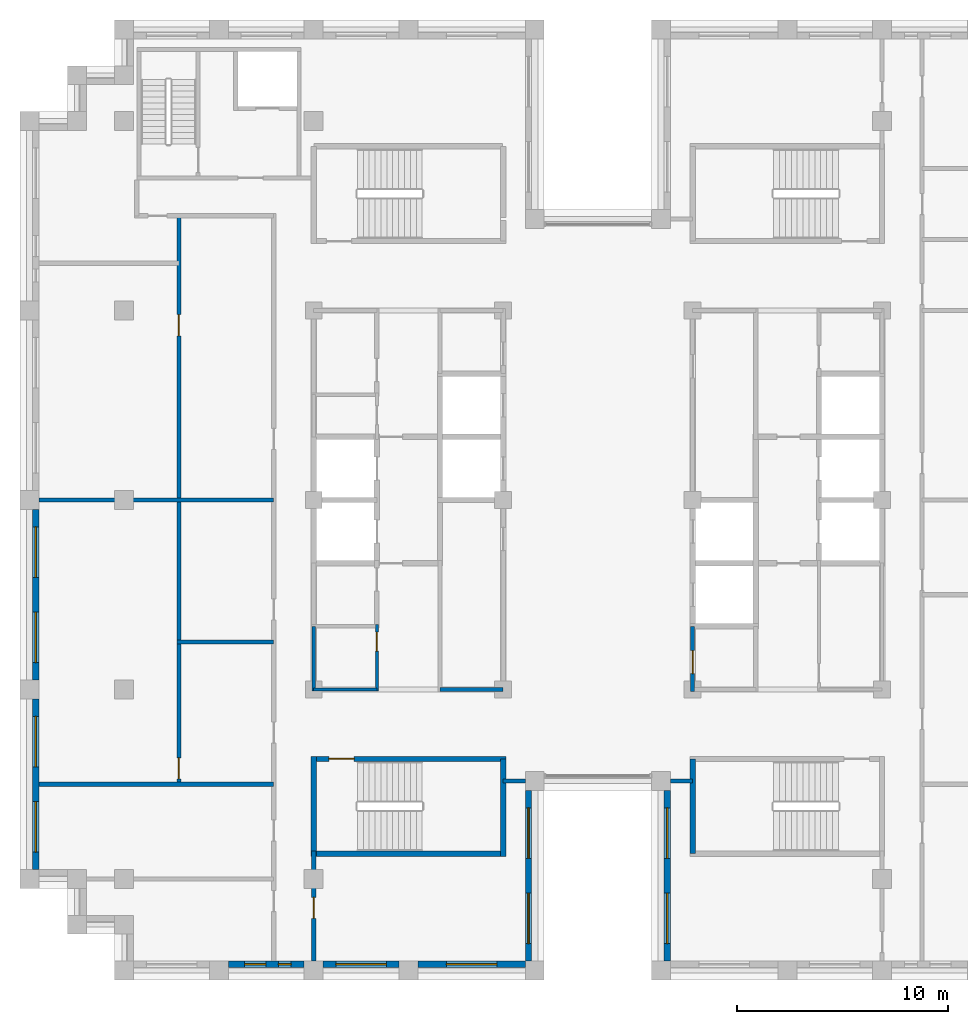
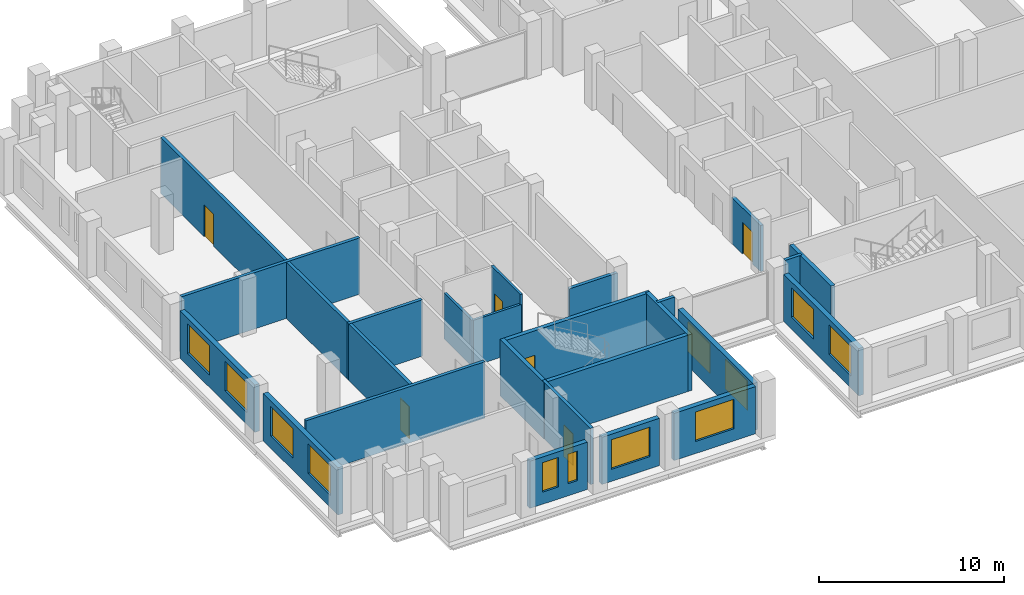
# One storey, part 6 of 13: 24 walls, 12 windows, 6 doors, 18 openings.
"""IFC4 building model written with IfcOpenShell, lengths in metres."""

from ifc_helpers import new_model, si_unit, direction, frame, frame_2d, origin, place, context, subcontext, project, spatial, rectangle, extrude, material, layer, layer_set, type_object, element, fill, save


model = new_model("IFC4")

# Units and contexts
model_context = context("Model", 3, precision=1e-05, world=origin(), true_north=direction((0.0, 1.0)))
body_context = subcontext(model_context, "Body", "Model", "MODEL_VIEW")
ifc_project = project(units=[si_unit("LENGTHUNIT", "METRE"), si_unit("AREAUNIT", "SQUARE_METRE"), si_unit("VOLUMEUNIT", "CUBIC_METRE"), si_unit("PLANEANGLEUNIT", "RADIAN"), si_unit("MASSUNIT", "GRAM", prefix="KILO")], contexts=[model_context])

# Site, building, storey
site_placement = place(None, origin())
site = spatial("IfcSite", under=ifc_project, at=site_placement, CompositionType="ELEMENT")
building_placement = place(site_placement, origin())
building = spatial("IfcBuilding", under=site, at=building_placement, Name="Corbelhall Arena Tower", CompositionType="ELEMENT")
storey_placement = place(building_placement, frame((0.0, 0.0, 258.0)))
storey = spatial("IfcBuildingStorey", under=building, at=storey_placement, Name="L55", CompositionType="ELEMENT", Elevation=258.0)

# Wall, openings, windows
ifc_material_1 = material(Name="Precast concrete C40/50 with granite facing", Category="masonry")
ifc_layer_1 = layer(ifc_material_1, 0.300048828125)
ifc_layer_set_1 = layer_set([ifc_layer_1], Name="EV-IW1 Infill panel 300")
wall_type_1 = type_object("IfcWallType", Name="EV-IW1 Infill panel 300", PredefinedType="SOLIDWALL", material=ifc_layer_set_1)
wall_1_placement = place(storey_placement, frame((-26.699951171875, -0.449951171875, 0.0), z_axis=(0.0, 0.0, 1.0), x_axis=(0.0, -1.0, 0.0)))
wall_1 = element("IfcWall", 1, at=wall_1_placement, inside=storey, type_object=wall_type_1, Name="Infill panel IW1", PredefinedType="SOLIDWALL", context=body_context, shape_type="SweptSolid", body=[
    extrude(rectangle(XDim=8.10009765625, YDim=0.300048828125, at=frame_2d((4.050048828125, 0.0))), origin(), (0.0, 0.0, 1.0), 3.1201171875),
])
opening_1_placement = place(wall_1_placement, frame((0.824951171875, 0.0, 0.800048828125)))
opening_1 = element("IfcOpeningElement", 2, at=opening_1_placement, cuts=wall_1, Name="Opening WN1", PredefinedType="OPENING", context=body_context, shape_type="SweptSolid", body=[
    extrude(rectangle(XDim=2.39990234375, YDim=1.949951171875, at=frame_2d((1.199951171875, 0.97509765625))), frame((0.0, 0.14990234375, 0.0), z_axis=(0.0, -1.0, 0.0), x_axis=(1.0, 0.0, 0.0)), (0.0, 0.0, 1.0), 0.300048828125),
])
opening_2_placement = place(wall_1_placement, frame((4.875, 0.0, 0.800048828125)))
opening_2 = element("IfcOpeningElement", 3, at=opening_2_placement, cuts=wall_1, Name="Opening WN1", PredefinedType="OPENING", context=body_context, shape_type="SweptSolid", body=[
    extrude(rectangle(XDim=2.39990234375, YDim=1.949951171875, at=frame_2d((1.199951171875, 0.97509765625))), frame((0.0, 0.14990234375, 0.0), z_axis=(0.0, -1.0, 0.0), x_axis=(1.0, 0.0, 0.0)), (0.0, 0.0, 1.0), 0.300048828125),
])
ifc_material_2 = material(Name="Aluminium black anodised", Category="aluminium")
window_type_1 = type_object("IfcWindowType", Name="EV-WN1 Office window", PartitioningType="SINGLE_PANEL", PredefinedType="WINDOW", material=ifc_material_2)
window_1_placement = place(opening_1_placement, origin())
window_1 = element("IfcWindow", 4, at=window_1_placement, inside=storey, type_object=window_type_1, Name="Window WN1", OverallHeight=1.949951171875, OverallWidth=2.39990234375, PartitioningType="SINGLE_PANEL", PredefinedType="WINDOW", context=body_context, shape_type="SweptSolid", body=[
    extrude(rectangle(XDim=2.39990234375, YDim=1.949951171875, at=frame_2d((1.199951171875, 0.97509765625))), frame((0.0, 0.030029296875, 0.0), z_axis=(0.0, -1.0, 0.0), x_axis=(1.0, 0.0, 0.0)), (0.0, 0.0, 1.0), 0.06005859375),
])
fill(opening_1, window_1)
window_2_placement = place(opening_2_placement, origin())
window_2 = element("IfcWindow", 5, at=window_2_placement, inside=storey, type_object=window_type_1, Name="Window WN1", OverallHeight=1.949951171875, OverallWidth=2.39990234375, PartitioningType="SINGLE_PANEL", PredefinedType="WINDOW", context=body_context, shape_type="SweptSolid", body=[
    extrude(rectangle(XDim=2.39990234375, YDim=1.949951171875, at=frame_2d((1.199951171875, 0.97509765625))), frame((0.0, 0.030029296875, 0.0), z_axis=(0.0, -1.0, 0.0), x_axis=(1.0, 0.0, 0.0)), (0.0, 0.0, 1.0), 0.06005859375),
])
fill(opening_2, window_2)

wall_2_placement = place(storey_placement, frame((-26.699951171875, -9.449951171875, 0.0), z_axis=(0.0, 0.0, 1.0), x_axis=(0.0, -1.0, 0.0)))
wall_2 = element("IfcWall", 6, at=wall_2_placement, inside=storey, type_object=wall_type_1, Name="Infill panel IW1", PredefinedType="SOLIDWALL", context=body_context, shape_type="SweptSolid", body=[
    extrude(rectangle(XDim=8.10009765625, YDim=0.300048828125, at=frame_2d((4.050048828125, 0.0))), origin(), (0.0, 0.0, 1.0), 3.1201171875),
])
opening_3_placement = place(wall_2_placement, frame((0.824951171875, 0.0, 0.800048828125)))
opening_3 = element("IfcOpeningElement", 7, at=opening_3_placement, cuts=wall_2, Name="Opening WN1", PredefinedType="OPENING", context=body_context, shape_type="SweptSolid", body=[
    extrude(rectangle(XDim=2.39990234375, YDim=1.949951171875, at=frame_2d((1.199951171875, 0.97509765625))), frame((0.0, 0.14990234375, 0.0), z_axis=(0.0, -1.0, 0.0), x_axis=(1.0, 0.0, 0.0)), (0.0, 0.0, 1.0), 0.300048828125),
])
opening_4_placement = place(wall_2_placement, frame((4.875, 0.0, 0.800048828125)))
opening_4 = element("IfcOpeningElement", 8, at=opening_4_placement, cuts=wall_2, Name="Opening WN1", PredefinedType="OPENING", context=body_context, shape_type="SweptSolid", body=[
    extrude(rectangle(XDim=2.39990234375, YDim=1.949951171875, at=frame_2d((1.199951171875, 0.97509765625))), frame((0.0, 0.14990234375, 0.0), z_axis=(0.0, -1.0, 0.0), x_axis=(1.0, 0.0, 0.0)), (0.0, 0.0, 1.0), 0.300048828125),
])
window_3_placement = place(opening_3_placement, origin())
window_3 = element("IfcWindow", 9, at=window_3_placement, inside=storey, type_object=window_type_1, Name="Window WN1", OverallHeight=1.949951171875, OverallWidth=2.39990234375, PartitioningType="SINGLE_PANEL", PredefinedType="WINDOW", context=body_context, shape_type="SweptSolid", body=[
    extrude(rectangle(XDim=2.39990234375, YDim=1.949951171875, at=frame_2d((1.199951171875, 0.97509765625))), frame((0.0, 0.030029296875, 0.0), z_axis=(0.0, -1.0, 0.0), x_axis=(1.0, 0.0, 0.0)), (0.0, 0.0, 1.0), 0.06005859375),
])
fill(opening_3, window_3)
window_4_placement = place(opening_4_placement, origin())
window_4 = element("IfcWindow", 10, at=window_4_placement, inside=storey, type_object=window_type_1, Name="Window WN1", OverallHeight=1.949951171875, OverallWidth=2.39990234375, PartitioningType="SINGLE_PANEL", PredefinedType="WINDOW", context=body_context, shape_type="SweptSolid", body=[
    extrude(rectangle(XDim=2.39990234375, YDim=1.949951171875, at=frame_2d((1.199951171875, 0.97509765625))), frame((0.0, 0.030029296875, 0.0), z_axis=(0.0, -1.0, 0.0), x_axis=(1.0, 0.0, 0.0)), (0.0, 0.0, 1.0), 0.06005859375),
])
fill(opening_4, window_4)

wall_3_placement = place(storey_placement, frame((-17.550048828125, -22.050048828125, 0.0), z_axis=(0.0, 0.0, 1.0), x_axis=(1.0, 0.0, 0.0)))
wall_3 = element("IfcWall", 11, at=wall_3_placement, inside=storey, type_object=wall_type_1, Name="Infill panel IW1", PredefinedType="SOLIDWALL", context=body_context, shape_type="SweptSolid", body=[
    extrude(rectangle(XDim=3.60009765625, YDim=0.300048828125, at=frame_2d((1.800048828125, 0.0))), origin(), (0.0, 0.0, 1.0), 3.1201171875),
])
opening_5_placement = place(wall_3_placement, frame((0.77490234375, 0.0, 0.800048828125)))
opening_5 = element("IfcOpeningElement", 12, at=opening_5_placement, cuts=wall_3, Name="Opening WN6", PredefinedType="OPENING", context=body_context, shape_type="SweptSolid", body=[
    extrude(rectangle(XDim=1.0, YDim=1.949951171875, at=frame_2d((0.5, 0.97509765625))), frame((0.0, 0.14990234375, 0.0), z_axis=(0.0, -1.0, 0.0), x_axis=(1.0, 0.0, 0.0)), (0.0, 0.0, 1.0), 0.300048828125),
])
opening_6_placement = place(wall_3_placement, frame((2.375, 0.0, 0.800048828125)))
opening_6 = element("IfcOpeningElement", 13, at=opening_6_placement, cuts=wall_3, Name="Opening WN5", PredefinedType="OPENING", context=body_context, shape_type="SweptSolid", body=[
    extrude(rectangle(XDim=0.60009765625, YDim=1.949951171875, at=frame_2d((0.300048828125, 0.97509765625))), frame((0.0, 0.14990234375, 0.0), z_axis=(0.0, -1.0, 0.0), x_axis=(1.0, 0.0, 0.0)), (0.0, 0.0, 1.0), 0.300048828125),
])
window_type_2 = type_object("IfcWindowType", Name="EV-WN5 Office window 600", PartitioningType="SINGLE_PANEL", PredefinedType="WINDOW", material=ifc_material_2)
window_5_placement = place(opening_6_placement, origin())
window_5 = element("IfcWindow", 14, at=window_5_placement, inside=storey, type_object=window_type_2, Name="Window WN5", OverallHeight=1.949951171875, OverallWidth=0.60009765625, PartitioningType="SINGLE_PANEL", PredefinedType="WINDOW", context=body_context, shape_type="SweptSolid", body=[
    extrude(rectangle(XDim=0.60009765625, YDim=1.949951171875, at=frame_2d((0.300048828125, 0.97509765625))), frame((0.0, 0.030029296875, 0.0), z_axis=(0.0, -1.0, 0.0), x_axis=(1.0, 0.0, 0.0)), (0.0, 0.0, 1.0), 0.06005859375),
])
fill(opening_6, window_5)
window_type_3 = type_object("IfcWindowType", Name="EV-WN6 Office window 1000", PartitioningType="SINGLE_PANEL", PredefinedType="WINDOW", material=ifc_material_2)
window_6_placement = place(opening_5_placement, origin())
window_6 = element("IfcWindow", 15, at=window_6_placement, inside=storey, type_object=window_type_3, Name="Window WN6", OverallHeight=1.949951171875, OverallWidth=1.0, PartitioningType="SINGLE_PANEL", PredefinedType="WINDOW", context=body_context, shape_type="SweptSolid", body=[
    extrude(rectangle(XDim=1.0, YDim=1.949951171875, at=frame_2d((0.5, 0.97509765625))), frame((0.0, 0.030029296875, 0.0), z_axis=(0.0, -1.0, 0.0), x_axis=(1.0, 0.0, 0.0)), (0.0, 0.0, 1.0), 0.06005859375),
])
fill(opening_5, window_6)

# Wall, opening, window
wall_4_placement = place(storey_placement, frame((-13.050048828125, -22.050048828125, 0.0), z_axis=(0.0, 0.0, 1.0), x_axis=(1.0, 0.0, 0.0)))
wall_4 = element("IfcWall", 16, at=wall_4_placement, inside=storey, type_object=wall_type_1, Name="Infill panel IW1", PredefinedType="SOLIDWALL", context=body_context, shape_type="SweptSolid", body=[
    extrude(rectangle(XDim=3.60009765625, YDim=0.300048828125, at=frame_2d((1.800048828125, 0.0))), origin(), (0.0, 0.0, 1.0), 3.1201171875),
])
opening_7_placement = place(wall_4_placement, frame((0.60009765625, 0.0, 0.800048828125)))
opening_7 = element("IfcOpeningElement", 17, at=opening_7_placement, cuts=wall_4, Name="Opening WN1", PredefinedType="OPENING", context=body_context, shape_type="SweptSolid", body=[
    extrude(rectangle(XDim=2.39990234375, YDim=1.949951171875, at=frame_2d((1.199951171875, 0.97509765625))), frame((0.0, 0.14990234375, 0.0), z_axis=(0.0, -1.0, 0.0), x_axis=(1.0, 0.0, 0.0)), (0.0, 0.0, 1.0), 0.300048828125),
])
window_7_placement = place(opening_7_placement, origin())
window_7 = element("IfcWindow", 18, at=window_7_placement, inside=storey, type_object=window_type_1, Name="Window WN1", OverallHeight=1.949951171875, OverallWidth=2.39990234375, PartitioningType="SINGLE_PANEL", PredefinedType="WINDOW", context=body_context, shape_type="SweptSolid", body=[
    extrude(rectangle(XDim=2.39990234375, YDim=1.949951171875, at=frame_2d((1.199951171875, 0.97509765625))), frame((0.0, 0.030029296875, 0.0), z_axis=(0.0, -1.0, 0.0), x_axis=(1.0, 0.0, 0.0)), (0.0, 0.0, 1.0), 0.06005859375),
])
fill(opening_7, window_7)

wall_5_placement = place(storey_placement, frame((-8.550048828125, -22.050048828125, 0.0), z_axis=(0.0, 0.0, 1.0), x_axis=(1.0, 0.0, 0.0)))
wall_5 = element("IfcWall", 19, at=wall_5_placement, inside=storey, type_object=wall_type_1, Name="Infill panel IW1", PredefinedType="SOLIDWALL", context=body_context, shape_type="SweptSolid", body=[
    extrude(rectangle(XDim=5.10009765625, YDim=0.300048828125, at=frame_2d((2.550048828125, 0.0))), origin(), (0.0, 0.0, 1.0), 3.1201171875),
])
opening_8_placement = place(wall_5_placement, frame((1.35009765625, 0.0, 0.800048828125)))
opening_8 = element("IfcOpeningElement", 20, at=opening_8_placement, cuts=wall_5, Name="Opening WN1", PredefinedType="OPENING", context=body_context, shape_type="SweptSolid", body=[
    extrude(rectangle(XDim=2.39990234375, YDim=1.949951171875, at=frame_2d((1.199951171875, 0.97509765625))), frame((0.0, 0.14990234375, 0.0), z_axis=(0.0, -1.0, 0.0), x_axis=(1.0, 0.0, 0.0)), (0.0, 0.0, 1.0), 0.300048828125),
])
window_8_placement = place(opening_8_placement, origin())
window_8 = element("IfcWindow", 21, at=window_8_placement, inside=storey, type_object=window_type_1, Name="Window WN1", OverallHeight=1.949951171875, OverallWidth=2.39990234375, PartitioningType="SINGLE_PANEL", PredefinedType="WINDOW", context=body_context, shape_type="SweptSolid", body=[
    extrude(rectangle(XDim=2.39990234375, YDim=1.949951171875, at=frame_2d((1.199951171875, 0.97509765625))), frame((0.0, 0.030029296875, 0.0), z_axis=(0.0, -1.0, 0.0), x_axis=(1.0, 0.0, 0.0)), (0.0, 0.0, 1.0), 0.06005859375),
])
fill(opening_8, window_8)

# Wall, openings, windows
wall_6_placement = place(storey_placement, frame((-3.300048828125, -21.89990234375, 0.0), z_axis=(0.0, 0.0, 1.0), x_axis=(0.0, 1.0, 0.0)))
wall_6 = element("IfcWall", 22, at=wall_6_placement, inside=storey, type_object=wall_type_1, Name="Infill panel IW1", PredefinedType="SOLIDWALL", context=body_context, shape_type="SweptSolid", body=[
    extrude(rectangle(XDim=8.099853515625, YDim=0.300048828125, at=frame_2d((4.0498046875, 0.0))), origin(), (0.0, 0.0, 1.0), 3.1201171875),
])
opening_9_placement = place(wall_6_placement, frame((0.824951171875, 0.0, 0.800048828125)))
opening_9 = element("IfcOpeningElement", 23, at=opening_9_placement, cuts=wall_6, Name="Opening WN1", PredefinedType="OPENING", context=body_context, shape_type="SweptSolid", body=[
    extrude(rectangle(XDim=2.39990234375, YDim=1.949951171875, at=frame_2d((1.199951171875, 0.97509765625))), frame((0.0, 0.14990234375, 0.0), z_axis=(0.0, -1.0, 0.0), x_axis=(1.0, 0.0, 0.0)), (0.0, 0.0, 1.0), 0.300048828125),
])
opening_10_placement = place(wall_6_placement, frame((4.875, 0.0, 0.800048828125)))
opening_10 = element("IfcOpeningElement", 24, at=opening_10_placement, cuts=wall_6, Name="Opening WN1", PredefinedType="OPENING", context=body_context, shape_type="SweptSolid", body=[
    extrude(rectangle(XDim=2.39990234375, YDim=1.949951171875, at=frame_2d((1.199951171875, 0.97509765625))), frame((0.0, 0.14990234375, 0.0), z_axis=(0.0, -1.0, 0.0), x_axis=(1.0, 0.0, 0.0)), (0.0, 0.0, 1.0), 0.300048828125),
])
window_9_placement = place(opening_9_placement, origin())
window_9 = element("IfcWindow", 25, at=window_9_placement, inside=storey, type_object=window_type_1, Name="Window WN1", OverallHeight=1.949951171875, OverallWidth=2.39990234375, PartitioningType="SINGLE_PANEL", PredefinedType="WINDOW", context=body_context, shape_type="SweptSolid", body=[
    extrude(rectangle(XDim=2.39990234375, YDim=1.949951171875, at=frame_2d((1.199951171875, 0.97509765625))), frame((0.0, 0.030029296875, 0.0), z_axis=(0.0, -1.0, 0.0), x_axis=(1.0, 0.0, 0.0)), (0.0, 0.0, 1.0), 0.06005859375),
])
fill(opening_9, window_9)
window_10_placement = place(opening_10_placement, origin())
window_10 = element("IfcWindow", 26, at=window_10_placement, inside=storey, type_object=window_type_1, Name="Window WN1", OverallHeight=1.949951171875, OverallWidth=2.39990234375, PartitioningType="SINGLE_PANEL", PredefinedType="WINDOW", context=body_context, shape_type="SweptSolid", body=[
    extrude(rectangle(XDim=2.39990234375, YDim=1.949951171875, at=frame_2d((1.199951171875, 0.97509765625))), frame((0.0, 0.030029296875, 0.0), z_axis=(0.0, -1.0, 0.0), x_axis=(1.0, 0.0, 0.0)), (0.0, 0.0, 1.0), 0.06005859375),
])
fill(opening_10, window_10)

wall_7_placement = place(storey_placement, frame((3.300048828125, -13.800048828125, 0.0), z_axis=(0.0, 0.0, 1.0), x_axis=(0.0, -1.0, 0.0)))
wall_7 = element("IfcWall", 27, at=wall_7_placement, inside=storey, type_object=wall_type_1, Name="Infill panel IW1", PredefinedType="SOLIDWALL", context=body_context, shape_type="SweptSolid", body=[
    extrude(rectangle(XDim=8.099853515625, YDim=0.300048828125, at=frame_2d((4.0498046875, 0.0))), origin(), (0.0, 0.0, 1.0), 3.1201171875),
])
opening_11_placement = place(wall_7_placement, frame((0.824951171875, 0.0, 0.800048828125)))
opening_11 = element("IfcOpeningElement", 28, at=opening_11_placement, cuts=wall_7, Name="Opening WN1", PredefinedType="OPENING", context=body_context, shape_type="SweptSolid", body=[
    extrude(rectangle(XDim=2.39990234375, YDim=1.949951171875, at=frame_2d((1.199951171875, 0.97509765625))), frame((0.0, 0.14990234375, 0.0), z_axis=(0.0, -1.0, 0.0), x_axis=(1.0, 0.0, 0.0)), (0.0, 0.0, 1.0), 0.300048828125),
])
opening_12_placement = place(wall_7_placement, frame((4.875, 0.0, 0.800048828125)))
opening_12 = element("IfcOpeningElement", 29, at=opening_12_placement, cuts=wall_7, Name="Opening WN1", PredefinedType="OPENING", context=body_context, shape_type="SweptSolid", body=[
    extrude(rectangle(XDim=2.39990234375, YDim=1.949951171875, at=frame_2d((1.199951171875, 0.97509765625))), frame((0.0, 0.14990234375, 0.0), z_axis=(0.0, -1.0, 0.0), x_axis=(1.0, 0.0, 0.0)), (0.0, 0.0, 1.0), 0.300048828125),
])
window_11_placement = place(opening_11_placement, origin())
window_11 = element("IfcWindow", 30, at=window_11_placement, inside=storey, type_object=window_type_1, Name="Window WN1", OverallHeight=1.949951171875, OverallWidth=2.39990234375, PartitioningType="SINGLE_PANEL", PredefinedType="WINDOW", context=body_context, shape_type="SweptSolid", body=[
    extrude(rectangle(XDim=2.39990234375, YDim=1.949951171875, at=frame_2d((1.199951171875, 0.97509765625))), frame((0.0, 0.030029296875, 0.0), z_axis=(0.0, -1.0, 0.0), x_axis=(1.0, 0.0, 0.0)), (0.0, 0.0, 1.0), 0.06005859375),
])
fill(opening_11, window_11)
window_12_placement = place(opening_12_placement, origin())
window_12 = element("IfcWindow", 31, at=window_12_placement, inside=storey, type_object=window_type_1, Name="Window WN1", OverallHeight=1.949951171875, OverallWidth=2.39990234375, PartitioningType="SINGLE_PANEL", PredefinedType="WINDOW", context=body_context, shape_type="SweptSolid", body=[
    extrude(rectangle(XDim=2.39990234375, YDim=1.949951171875, at=frame_2d((1.199951171875, 0.97509765625))), frame((0.0, 0.030029296875, 0.0), z_axis=(0.0, -1.0, 0.0), x_axis=(1.0, 0.0, 0.0)), (0.0, 0.0, 1.0), 0.06005859375),
])
fill(opening_12, window_12)

# Walls
ifc_material_3 = material(Name="Gypsum board on steel stud, acoustic", Category="steel")
ifc_layer_2 = layer(ifc_material_3, 0.199951171875)
ifc_layer_set_2 = layer_set([ifc_layer_2], Name="IN-W-DM200")
wall_type_2 = type_object("IfcWallType", Name="IN-W-DM200", PredefinedType="PARTITIONING", material=ifc_layer_set_2)
wall_8_placement = place(storey_placement, frame((-26.550048828125, -13.5, 0.0), z_axis=(0.0, 0.0, 1.0), x_axis=(1.0, 0.0, 0.0)))
element("IfcWall", 32, at=wall_8_placement, inside=storey, type_object=wall_type_2, Name="Partition 001", PredefinedType="PARTITIONING", context=body_context, shape_type="SweptSolid", body=[
    extrude(rectangle(XDim=11.150146484375, YDim=0.199951171875, at=frame_2d((5.5751953125, 0.0))), origin(), (0.0, 0.0, 1.0), 3.719970703125),
])
wall_9_placement = place(storey_placement, frame((-20.0, -6.75, 0.0), z_axis=(0.0, 0.0, 1.0), x_axis=(1.0, 0.0, 0.0)))
element("IfcWall", 33, at=wall_9_placement, inside=storey, type_object=wall_type_2, Name="Partition 005", PredefinedType="PARTITIONING", context=body_context, shape_type="SweptSolid", body=[
    extrude(rectangle(XDim=4.60009765625, YDim=0.199951171875, at=frame_2d((2.300048828125, 0.0))), origin(), (0.0, 0.0, 1.0), 3.719970703125),
])

# Wall, openings, doors
wall_10_placement = place(storey_placement, frame((-19.89990234375, -13.5, 0.0), z_axis=(0.0, 0.0, 1.0), x_axis=(0.0, 1.0, 0.0)))
wall_10 = element("IfcWall", 34, at=wall_10_placement, inside=storey, type_object=wall_type_2, Name="Partition 006", PredefinedType="PARTITIONING", context=body_context, shape_type="SweptSolid", body=[
    extrude(rectangle(XDim=27.0, YDim=0.199951171875, at=frame_2d((13.5, 0.0))), origin(), (0.0, 0.0, 1.0), 3.719970703125),
])
opening_13_placement = place(wall_10_placement, frame((21.300048828125, 0.0, 0.0)))
opening_13 = element("IfcOpeningElement", 35, at=opening_13_placement, cuts=wall_10, Name="Opening 17023", PredefinedType="OPENING", context=body_context, shape_type="SweptSolid", body=[
    extrude(rectangle(XDim=1.0, YDim=2.10009765625, at=frame_2d((0.5, 1.050048828125))), frame((0.0, 0.10009765625, 0.0), z_axis=(0.0, -1.0, 0.0), x_axis=(1.0, 0.0, 0.0)), (0.0, 0.0, 1.0), 0.199951171875),
])
opening_14_placement = place(wall_10_placement, frame((0.25, 0.0, 0.0)))
opening_14 = element("IfcOpeningElement", 36, at=opening_14_placement, cuts=wall_10, Name="Opening 17028", PredefinedType="OPENING", context=body_context, shape_type="SweptSolid", body=[
    extrude(rectangle(XDim=1.0, YDim=2.10009765625, at=frame_2d((0.5, 1.050048828125))), frame((0.0, 0.10009765625, 0.0), z_axis=(0.0, -1.0, 0.0), x_axis=(1.0, 0.0, 0.0)), (0.0, 0.0, 1.0), 0.199951171875),
])
ifc_material_4 = material(Name="Steel door set", Category="steel")
door_type_1 = type_object("IfcDoorType", Name="IN-D-SW100", OperationType="NOTDEFINED", PredefinedType="DOOR", material=ifc_material_4)
door_1_placement = place(opening_13_placement, origin())
door_1 = element("IfcDoor", 37, at=door_1_placement, inside=storey, type_object=door_type_1, Name="Door 023", OperationType="SINGLE_SWING_RIGHT", OverallHeight=2.10009765625, OverallWidth=1.0, PredefinedType="DOOR", context=body_context, shape_type="SweptSolid", body=[
    extrude(rectangle(XDim=1.0, YDim=2.10009765625, at=frame_2d((0.5, 1.050048828125))), frame((0.0, 0.02490234375, 0.0), z_axis=(0.0, -1.0, 0.0), x_axis=(1.0, 0.0, 0.0)), (0.0, 0.0, 1.0), 0.050048828125),
])
fill(opening_13, door_1)
door_2_placement = place(opening_14_placement, origin())
door_2 = element("IfcDoor", 38, at=door_2_placement, inside=storey, type_object=door_type_1, Name="Door 028", OperationType="SINGLE_SWING_LEFT", OverallHeight=2.10009765625, OverallWidth=1.0, PredefinedType="DOOR", context=body_context, shape_type="SweptSolid", body=[
    extrude(rectangle(XDim=1.0, YDim=2.10009765625, at=frame_2d((0.5, 1.050048828125))), frame((0.0, 0.02490234375, 0.0), z_axis=(0.0, -1.0, 0.0), x_axis=(1.0, 0.0, 0.0)), (0.0, 0.0, 1.0), 0.050048828125),
])
fill(opening_14, door_2)

# Wall
wall_11_placement = place(storey_placement, frame((-15.39990234375, 0.0, 0.0), z_axis=(0.0, 0.0, 1.0), x_axis=(-1.0, 0.0, 0.0)))
element("IfcWall", 39, at=wall_11_placement, inside=storey, type_object=wall_type_2, Name="Partition 007", PredefinedType="PARTITIONING", context=body_context, shape_type="SweptSolid", body=[
    extrude(rectangle(XDim=11.150146484375, YDim=0.199951171875, at=frame_2d((5.5751953125, 0.0))), origin(), (0.0, 0.0, 1.0), 3.719970703125),
])

# Wall, opening, door
wall_12_placement = place(storey_placement, frame((-13.5, -16.675048828125, 0.0), z_axis=(0.0, 0.0, 1.0), x_axis=(0.0, -1.0, 0.0)))
wall_12 = element("IfcWall", 40, at=wall_12_placement, inside=storey, type_object=wall_type_2, Name="Partition 010", PredefinedType="PARTITIONING", context=body_context, shape_type="SweptSolid", body=[
    extrude(rectangle(XDim=5.224853515625, YDim=0.199951171875, at=frame_2d((2.6123046875, 0.0))), origin(), (0.0, 0.0, 1.0), 3.719970703125),
])
opening_15_placement = place(wall_12_placement, frame((2.199951171875, 0.0, 0.0)))
opening_15 = element("IfcOpeningElement", 41, at=opening_15_placement, cuts=wall_12, Name="Opening 17020", PredefinedType="OPENING", context=body_context, shape_type="SweptSolid", body=[
    extrude(rectangle(XDim=1.0, YDim=2.10009765625, at=frame_2d((0.5, 1.050048828125))), frame((0.0, 0.10009765625, 0.0), z_axis=(0.0, -1.0, 0.0), x_axis=(1.0, 0.0, 0.0)), (0.0, 0.0, 1.0), 0.199951171875),
])
door_3_placement = place(opening_15_placement, origin())
door_3 = element("IfcDoor", 42, at=door_3_placement, inside=storey, type_object=door_type_1, Name="Door 020", OperationType="SINGLE_SWING_LEFT", OverallHeight=2.10009765625, OverallWidth=1.0, PredefinedType="DOOR", context=body_context, shape_type="SweptSolid", body=[
    extrude(rectangle(XDim=1.0, YDim=2.10009765625, at=frame_2d((0.5, 1.050048828125))), frame((0.0, 0.02490234375, 0.0), z_axis=(0.0, -1.0, 0.0), x_axis=(1.0, 0.0, 0.0)), (0.0, 0.0, 1.0), 0.050048828125),
])
fill(opening_15, door_3)

# Walls
for number, where, z_axis, x_axis, name in (
    (43, (-3.449951171875, -13.35009765625, 0.0), (0.0, 0.0, 1.0), (-1.0, 0.0, 0.0), "Partition 011"),
    (44, (4.5, -13.35009765625, 0.0), (0.0, 0.0, 1.0), (-1.0, 0.0, 0.0), "Partition 013"),
):
    element("IfcWall", number, at=place(storey_placement, frame(where, z_axis=z_axis, x_axis=x_axis)), inside=storey, type_object=wall_type_2, Name=name, PredefinedType="PARTITIONING", context=body_context, shape_type="SweptSolid", body=[
        extrude(rectangle(XDim=1.050048828125, YDim=0.199951171875, at=frame_2d((0.52490234375, 0.0))), origin(), (0.0, 0.0, 1.0), 3.719970703125),
    ])
ifc_material_5 = material(Name="Concrete block wall", Category="concrete")
ifc_layer_3 = layer(ifc_material_5, 0.199951171875)
ifc_layer_set_3 = layer_set([ifc_layer_3], Name="IN-W-RS200 under beam 678 mm")
wall_type_3 = type_object("IfcWallType", Name="IN-W-RS200 under beam 678 mm", PredefinedType="SOLIDWALL", material=ifc_layer_set_3)
wall_13_placement = place(storey_placement, frame((-4.5, -9.0, 0.0), z_axis=(0.0, 0.0, 1.0), x_axis=(-1.0, 0.0, 0.0)))
element("IfcWall", 45, at=wall_13_placement, inside=storey, type_object=wall_type_3, Name="Partition 033", PredefinedType="SOLIDWALL", context=body_context, shape_type="SweptSolid", body=[
    extrude(rectangle(XDim=3.0, YDim=0.199951171875, at=frame_2d((1.5, 0.0))), origin(), (0.0, 0.0, 1.0), 3.041748046875),
])

# Wall, opening, door
wall_14_placement = place(storey_placement, frame((4.5, -9.10009765625, 0.0), z_axis=(0.0, 0.0, 1.0), x_axis=(0.0, 1.0, 0.0)))
wall_14 = element("IfcWall", 46, at=wall_14_placement, inside=storey, type_object=wall_type_3, Name="Partition 036", PredefinedType="SOLIDWALL", context=body_context, shape_type="SweptSolid", body=[
    extrude(rectangle(XDim=3.10009765625, YDim=0.199951171875, at=frame_2d((1.550048828125, 0.0))), origin(), (0.0, 0.0, 1.0), 3.041748046875),
])
opening_16_placement = place(wall_14_placement, frame((0.85009765625, 0.0, 0.0)))
opening_16 = element("IfcOpeningElement", 47, at=opening_16_placement, cuts=wall_14, Name="Opening 17009", PredefinedType="OPENING", context=body_context, shape_type="SweptSolid", body=[
    extrude(rectangle(XDim=1.10009765625, YDim=2.10009765625, at=frame_2d((0.550048828125, 1.050048828125))), frame((0.0, 0.10009765625, 0.0), z_axis=(0.0, -1.0, 0.0), x_axis=(1.0, 0.0, 0.0)), (0.0, 0.0, 1.0), 0.199951171875),
])
door_type_2 = type_object("IfcDoorType", Name="IN-D-FD110", OperationType="NOTDEFINED", PredefinedType="DOOR", material=ifc_material_4)
door_4_placement = place(opening_16_placement, origin())
door_4 = element("IfcDoor", 48, at=door_4_placement, inside=storey, type_object=door_type_2, Name="Door 009", OperationType="SINGLE_SWING_RIGHT", OverallHeight=2.10009765625, OverallWidth=1.10009765625, PredefinedType="DOOR", context=body_context, shape_type="SweptSolid", body=[
    extrude(rectangle(XDim=1.10009765625, YDim=2.10009765625, at=frame_2d((0.550048828125, 1.050048828125))), frame((0.0, 0.02490234375, 0.0), z_axis=(0.0, -1.0, 0.0), x_axis=(1.0, 0.0, 0.0)), (0.0, 0.0, 1.0), 0.050048828125),
])
fill(opening_16, door_4)

# Walls
ifc_material_6 = material(Name="Concrete C40/50", Category="concrete")
ifc_layer_4 = layer(ifc_material_6, 0.25)
ifc_layer_set_4 = layer_set([ifc_layer_4], Name="IN-W-ST250")
wall_type_4 = type_object("IfcWallType", Name="IN-W-ST250", PredefinedType="SOLIDWALL", material=ifc_layer_set_4)
wall_15_placement = place(storey_placement, frame((-13.5, -12.175048828125, 0.0), z_axis=(0.0, 0.0, 1.0), x_axis=(0.0, -1.0, 0.0)))
element("IfcWall", 49, at=wall_15_placement, inside=storey, type_object=wall_type_4, Name="Shaft wall 064", PredefinedType="SOLIDWALL", context=body_context, shape_type="SweptSolid", body=[
    extrude(rectangle(XDim=4.75, YDim=0.25, at=frame_2d((2.375, 0.0))), origin(), (0.0, 0.0, 1.0), 3.719970703125),
])
wall_16_placement = place(storey_placement, frame((-4.5, -16.800048828125, 0.0), z_axis=(0.0, 0.0, 1.0), x_axis=(-1.0, 0.0, 0.0)))
element("IfcWall", 50, at=wall_16_placement, inside=storey, type_object=wall_type_4, Name="Shaft wall 068", PredefinedType="SOLIDWALL", context=body_context, shape_type="SweptSolid", body=[
    extrude(rectangle(XDim=9.0, YDim=0.25, at=frame_2d((4.5, 0.0))), origin(), (0.0, 0.0, 1.0), 3.719970703125),
])
wall_17_placement = place(storey_placement, frame((-4.5, -12.300048828125, 0.0), z_axis=(0.0, 0.0, 1.0), x_axis=(0.0, -1.0, 0.0)))
element("IfcWall", 51, at=wall_17_placement, inside=storey, type_object=wall_type_4, Name="Shaft wall 069", PredefinedType="SOLIDWALL", context=body_context, shape_type="SweptSolid", body=[
    extrude(rectangle(XDim=4.625, YDim=0.25, at=frame_2d((2.3125, 0.0))), origin(), (0.0, 0.0, 1.0), 3.719970703125),
])

# Wall, opening, door
wall_18_placement = place(storey_placement, frame((-4.375, -12.300048828125, 0.0), z_axis=(0.0, 0.0, 1.0), x_axis=(-1.0, 0.0, 0.0)))
wall_18 = element("IfcWall", 52, at=wall_18_placement, inside=storey, type_object=wall_type_4, Name="Shaft wall 072", PredefinedType="SOLIDWALL", context=body_context, shape_type="SweptSolid", body=[
    extrude(rectangle(XDim=9.125, YDim=0.25, at=frame_2d((4.5625, 0.0))), origin(), (0.0, 0.0, 1.0), 3.719970703125),
])
opening_17_placement = place(wall_18_placement, frame((7.199951171875, 0.0, 0.0)))
opening_17 = element("IfcOpeningElement", 53, at=opening_17_placement, cuts=wall_18, Name="Opening 17016", PredefinedType="OPENING", context=body_context, shape_type="SweptSolid", body=[
    extrude(rectangle(XDim=1.199951171875, YDim=2.10009765625, at=frame_2d((0.60009765625, 1.050048828125))), frame((0.0, 0.125, 0.0), z_axis=(0.0, -1.0, 0.0), x_axis=(1.0, 0.0, 0.0)), (0.0, 0.0, 1.0), 0.25),
])
door_type_3 = type_object("IfcDoorType", Name="IN-D-ST120", OperationType="NOTDEFINED", PredefinedType="DOOR", material=ifc_material_4)
door_5_placement = place(opening_17_placement, origin())
door_5 = element("IfcDoor", 54, at=door_5_placement, inside=storey, type_object=door_type_3, Name="Door 016", OperationType="SINGLE_SWING_LEFT", OverallHeight=2.10009765625, OverallWidth=1.199951171875, PredefinedType="DOOR", context=body_context, shape_type="SweptSolid", body=[
    extrude(rectangle(XDim=1.199951171875, YDim=2.10009765625, at=frame_2d((0.60009765625, 1.050048828125))), frame((0.0, 0.02490234375, 0.0), z_axis=(0.0, -1.0, 0.0), x_axis=(1.0, 0.0, 0.0)), (0.0, 0.0, 1.0), 0.050048828125),
])
fill(opening_17, door_5)

# Wall
wall_19_placement = place(storey_placement, frame((4.5, -16.800048828125, 0.0), z_axis=(0.0, 0.0, 1.0), x_axis=(0.0, 1.0, 0.0)))
element("IfcWall", 55, at=wall_19_placement, inside=storey, type_object=wall_type_4, Name="Shaft wall 075", PredefinedType="SOLIDWALL", context=body_context, shape_type="SweptSolid", body=[
    extrude(rectangle(XDim=4.5, YDim=0.25, at=frame_2d((2.25, 0.0))), origin(), (0.0, 0.0, 1.0), 3.719970703125),
])

# Wall, opening, door
ifc_material_7 = material(Name="Gypsum board on steel stud, moisture resistant", Category="steel")
ifc_layer_5 = layer(ifc_material_7, 0.14990234375)
ifc_layer_set_5 = layer_set([ifc_layer_5], Name="IN-W-WC150")
wall_type_5 = type_object("IfcWallType", Name="IN-W-WC150", PredefinedType="PARTITIONING", material=ifc_layer_set_5)
wall_20_placement = place(storey_placement, frame((-10.5, -9.074951171875, 0.0), z_axis=(0.0, 0.0, 1.0), x_axis=(0.0, 1.0, 0.0)))
wall_20 = element("IfcWall", 56, at=wall_20_placement, inside=storey, type_object=wall_type_5, Name="Partition 085", PredefinedType="PARTITIONING", context=body_context, shape_type="SweptSolid", body=[
    extrude(rectangle(XDim=3.14990234375, YDim=0.14990234375, at=frame_2d((1.574951171875, 0.0))), origin(), (0.0, 0.0, 1.0), 3.719970703125),
])
opening_18_placement = place(wall_20_placement, frame((1.89990234375, 0.0, 0.0)))
opening_18 = element("IfcOpeningElement", 57, at=opening_18_placement, cuts=wall_20, Name="Opening 17005", PredefinedType="OPENING", context=body_context, shape_type="SweptSolid", body=[
    extrude(rectangle(XDim=0.89990234375, YDim=2.10009765625, at=frame_2d((0.449951171875, 1.050048828125))), frame((0.0, 0.074951171875, 0.0), z_axis=(0.0, -1.0, 0.0), x_axis=(1.0, 0.0, 0.0)), (0.0, 0.0, 1.0), 0.14990234375),
])
ifc_material_8 = material(Name="Timber door set", Category="wood")
door_type_4 = type_object("IfcDoorType", Name="IN-D-SW90", OperationType="NOTDEFINED", PredefinedType="DOOR", material=ifc_material_8)
door_6_placement = place(opening_18_placement, origin())
door_6 = element("IfcDoor", 58, at=door_6_placement, inside=storey, type_object=door_type_4, Name="Door 005", OperationType="SINGLE_SWING_RIGHT", OverallHeight=2.10009765625, OverallWidth=0.89990234375, PredefinedType="DOOR", context=body_context, shape_type="SweptSolid", body=[
    extrude(rectangle(XDim=0.89990234375, YDim=2.10009765625, at=frame_2d((0.449951171875, 1.050048828125))), frame((0.0, 0.02490234375, 0.0), z_axis=(0.0, -1.0, 0.0), x_axis=(1.0, 0.0, 0.0)), (0.0, 0.0, 1.0), 0.050048828125),
])
fill(opening_18, door_6)

# Walls
ifc_layer_6 = layer(ifc_material_7, 0.14990234375)
ifc_layer_set_6 = layer_set([ifc_layer_6], Name="IN-W-WC150 under beam 678 mm")
wall_type_6 = type_object("IfcWallType", Name="IN-W-WC150 under beam 678 mm", PredefinedType="PARTITIONING", material=ifc_layer_set_6)
wall_21_placement = place(storey_placement, frame((-13.5, -9.074951171875, 0.0), z_axis=(0.0, 0.0, 1.0), x_axis=(0.0, 1.0, 0.0)))
element("IfcWall", 59, at=wall_21_placement, inside=storey, type_object=wall_type_6, Name="Partition 083", PredefinedType="PARTITIONING", context=body_context, shape_type="SweptSolid", body=[
    extrude(rectangle(XDim=3.074951171875, YDim=0.14990234375, at=frame_2d((1.53759765625, 0.0))), origin(), (0.0, 0.0, 1.0), 3.041748046875),
])
wall_22_placement = place(storey_placement, frame((-10.5, -9.0, 0.0), z_axis=(0.0, 0.0, 1.0), x_axis=(-1.0, 0.0, 0.0)))
element("IfcWall", 60, at=wall_22_placement, inside=storey, type_object=wall_type_6, Name="Partition 086", PredefinedType="PARTITIONING", context=body_context, shape_type="SweptSolid", body=[
    extrude(rectangle(XDim=3.0, YDim=0.14990234375, at=frame_2d((1.5, 0.0))), origin(), (0.0, 0.0, 1.0), 3.041748046875),
])

save(model, "model.ifc")
